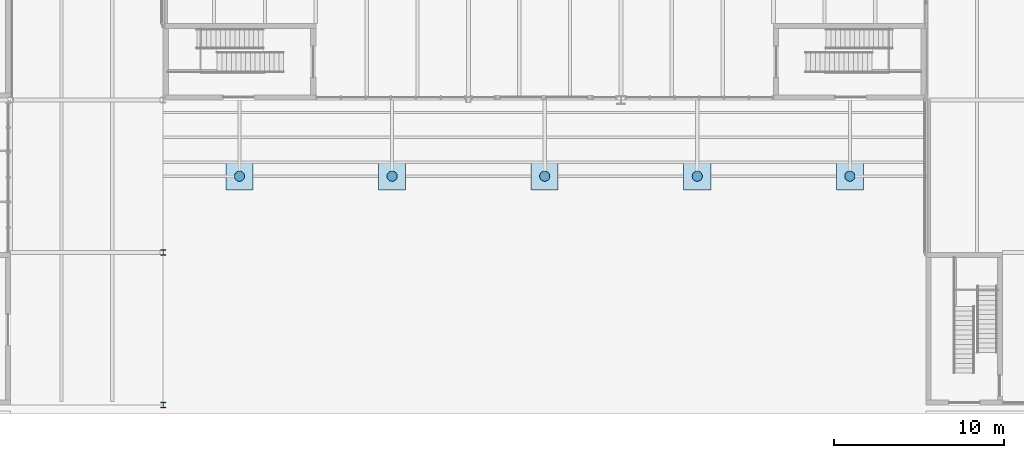
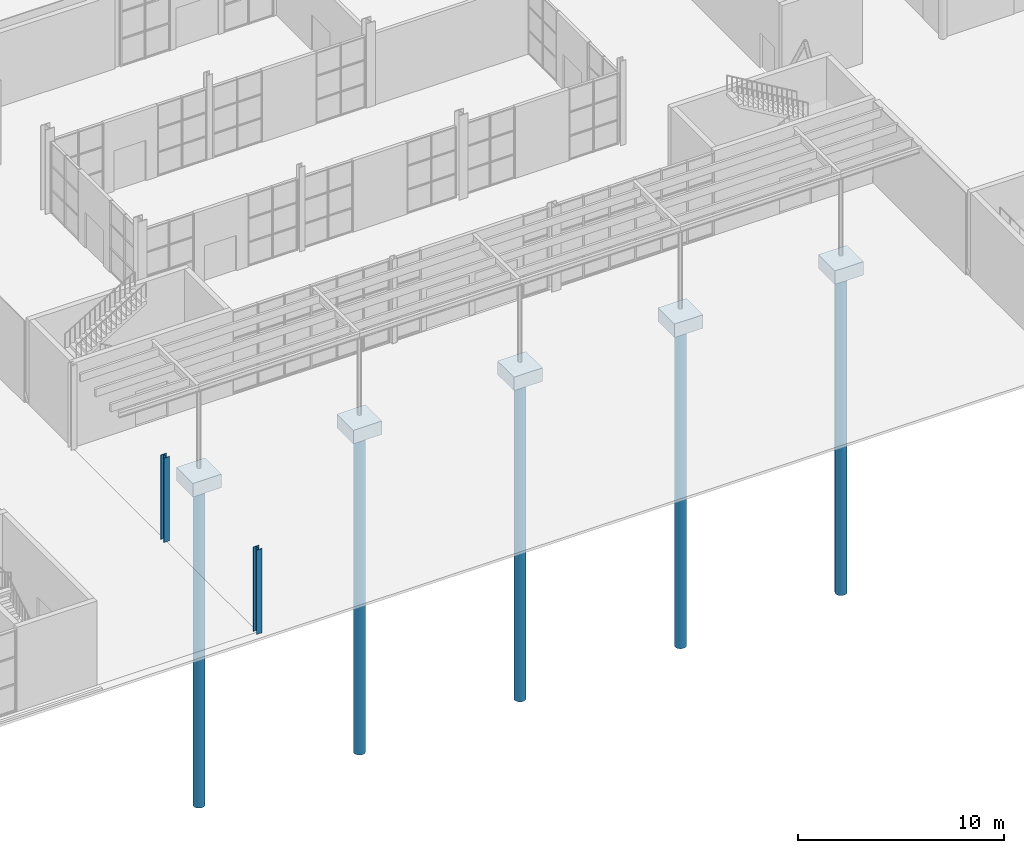
# One storey, part 1 of 63: 5 footings, 5 piles, 2 columns.
"""IFC4 building model written with IfcOpenShell, lengths in metres."""

import ifcopenshell
import ifcopenshell.guid

model = None  # the IFC model being written
_history = None  # IfcOwnerHistory: only IFC2X3 demands one
_inside = {}  # id of a spatial element -> (the spatial element, [elements in it])
_under = {}  # id of a project, library or spatial element -> (it, [spatial elements below it])
_declared = {}  # id of a project -> (the project, [libraries it declares])
_typed = {}  # id of a type object -> (the type object, [elements of that type])
_made_of = {}  # id of a material, layer set ... -> (it, [elements and type objects made of it])


def new_model(schema):
    """Start an empty IFC model of exactly this schema.

    Asked for "IFC4X3", IfcOpenShell would pick the latest addendum, in which some entities
    have other attributes; the version numbers below select the first issue.
    IFC2X3 requires an IfcOwnerHistory on every rooted entity: one is made here for all.
    """
    global model, _history
    if schema == "IFC4X3":
        model = ifcopenshell.file(schema_version=(4, 3, 0, 0))
    else:
        model = ifcopenshell.file(schema=schema)
    _inside.clear()
    _under.clear()
    _declared.clear()
    _typed.clear()
    _made_of.clear()
    _history = None
    if model.schema == "IFC2X3":
        org = make("IfcOrganization", Name="unknown")
        user = make(
            "IfcPersonAndOrganization",
            ThePerson=make("IfcPerson", FamilyName="unknown"),
            TheOrganization=org,
        )
        app = make(
            "IfcApplication",
            ApplicationDeveloper=org,
            Version="unknown",
            ApplicationFullName="unknown",
            ApplicationIdentifier="unknown",
        )
        _history = make(
            "IfcOwnerHistory",
            OwningUser=user,
            OwningApplication=app,
            ChangeAction="ADDED",
            CreationDate=0,
        )
    return model


def make(cls, **values):
    """One entity of the class cls with the attributes given. An attribute that is None is left unset."""
    return model.create_entity(
        cls, **{name: value for name, value in values.items() if value is not None}
    )


def rooted(cls, **values):
    """An entity with a GlobalId (a new one), such as an element, a storey or a relation."""
    return make(cls, GlobalId=ifcopenshell.guid.new(), OwnerHistory=_history, **values)


def si_unit(unit_type, name, prefix=None):
    """IfcSIUnit, for example si_unit("LENGTHUNIT", "METRE", prefix="MILLI")."""
    return make("IfcSIUnit", UnitType=unit_type, Prefix=prefix, Name=name)


def assignment(units):
    """IfcUnitAssignment: the units of a project."""
    return None if units is None else make("IfcUnitAssignment", Units=units)


def point(xyz):
    """IfcCartesianPoint."""
    return None if xyz is None else make("IfcCartesianPoint", Coordinates=xyz)


def direction(xyz):
    """IfcDirection."""
    return None if xyz is None else make("IfcDirection", DirectionRatios=xyz)


def frame(location, z_axis=None, x_axis=None):
    """IfcAxis2Placement3D, a coordinate frame: its origin and axes. An axis left out is left unset."""
    return make(
        "IfcAxis2Placement3D",
        Location=point(location),
        Axis=direction(z_axis),
        RefDirection=direction(x_axis),
    )


def frame_2d(location, x_axis=None):
    """IfcAxis2Placement2D, a coordinate frame in the plane: its origin and x axis."""
    return make(
        "IfcAxis2Placement2D", Location=point(location), RefDirection=direction(x_axis)
    )


def origin():
    """The frame at (0, 0, 0) with its axes left unset."""
    return frame((0.0, 0.0, 0.0))


def origin_2d():
    """The frame at (0, 0) in the plane with its x axis left unset."""
    return frame_2d((0.0, 0.0))


def place(relative_to, where):
    """IfcLocalPlacement: puts the frame where relative to a parent placement (None: the world)."""
    return make(
        "IfcLocalPlacement", PlacementRelTo=relative_to, RelativePlacement=where
    )


def context(
    kind, dimensions, precision=None, world=None, true_north=None, identifier=None
):
    """IfcGeometricRepresentationContext, for example the 3D "Model" context."""
    return make(
        "IfcGeometricRepresentationContext",
        ContextIdentifier=identifier,
        ContextType=kind,
        CoordinateSpaceDimension=dimensions,
        Precision=precision,
        WorldCoordinateSystem=world,
        TrueNorth=true_north,
    )


def subcontext(parent, identifier, kind, view, scale=None):
    """IfcGeometricRepresentationSubContext, for example "Body" below "Model"."""
    return make(
        "IfcGeometricRepresentationSubContext",
        ContextIdentifier=identifier,
        ContextType=kind,
        ParentContext=parent,
        TargetScale=scale,
        TargetView=view,
    )


def project(units=None, contexts=None):
    """IfcProject with its units and contexts."""
    return rooted(
        "IfcProject",
        Name="project",
        RepresentationContexts=contexts,
        UnitsInContext=assignment(units),
    )


def spatial(cls, under=None, at=None, **own):
    """A site, building, storey or space (cls), placed at a placement, below another one or the project."""
    s = rooted(cls, ObjectPlacement=at, **own)
    if under is not None:
        _under.setdefault(under.id(), (under, []))[1].append(s)
    return s


def polyline(points):
    """IfcPolyline through the points."""
    return make("IfcPolyline", Points=[point(p) for p in points])


def profile(cls, at=None, kind="AREA", **sizes):
    """A parametric profile (cls). Its sizes go by their IFC names, for example OverallWidth=200.0."""
    return make(cls, ProfileType=kind, Position=at, **sizes)


def circle(**sizes):
    """IfcCircleProfileDef."""
    return profile("IfcCircleProfileDef", **sizes)


def i_section(**sizes):
    """IfcIShapeProfileDef."""
    return profile("IfcIShapeProfileDef", **sizes)


def outline(outer, holes=None, kind="AREA"):
    """IfcArbitraryClosedProfileDef: a profile drawn as a closed curve; with holes, ...WithVoids."""
    if holes is None:
        return make("IfcArbitraryClosedProfileDef", ProfileType=kind, OuterCurve=outer)
    return make(
        "IfcArbitraryProfileDefWithVoids",
        ProfileType=kind,
        OuterCurve=outer,
        InnerCurves=holes,
    )


def extrude(swept, where, along, depth):
    """IfcExtrudedAreaSolid: the profile swept, set in the frame where, extruded along a direction by depth."""
    return make(
        "IfcExtrudedAreaSolid",
        SweptArea=swept,
        Position=where,
        ExtrudedDirection=direction(along),
        Depth=depth,
    )


def shape(context_of_items, identifier, shape_type, items):
    """IfcShapeRepresentation: the items that make up one representation, for example the "Body"."""
    return make(
        "IfcShapeRepresentation",
        ContextOfItems=context_of_items,
        RepresentationIdentifier=identifier,
        RepresentationType=shape_type,
        Items=items,
    )


def material(Name=None, Category=None):
    """IfcMaterial."""
    return make("IfcMaterial", Name=Name, Category=Category)


def material_profile(
    of_material, cross_section, Name=None, Category=None, Priority=None
):
    """IfcMaterialProfile: a cross section and its material."""
    return make(
        "IfcMaterialProfile",
        Name=Name,
        Material=of_material,
        Profile=cross_section,
        Priority=Priority,
        Category=Category,
    )


def profile_set(profiles, Name=None, composite=None):
    """IfcMaterialProfileSet."""
    return make(
        "IfcMaterialProfileSet",
        Name=Name,
        MaterialProfiles=profiles,
        CompositeProfile=composite,
    )


def made_of(thing, what):
    """Note that an element or type object is made of a material, layer set ...; save() writes the relation."""
    if what is not None:
        _made_of.setdefault(what.id(), (what, []))[1].append(thing)
    return thing


def type_object(cls, material=None, **own):
    """A type object (cls), such as IfcWallType, which elements share."""
    return made_of(rooted(cls, **own), material)


def element(
    cls,
    number,
    at=None,
    inside=None,
    cuts=None,
    type_object=None,
    material=None,
    context=None,
    identifier="Body",
    shape_type=None,
    held_by="IfcProductDefinitionShape",
    body=None,
    shapes=None,
    **own,
):
    """One element of the class cls, such as IfcWall. Its Tag is "e" and its number.

    at: its placement. inside: the storey or other place that contains it. cuts: it is an
    opening in that element (IfcRelVoidsElement). A single representation is given by context,
    identifier, shape_type and body (its items); several are given by shapes. held_by: the class
    of the entity that holds the representations. save() writes the other relations.
    """
    e = rooted(cls, Tag="e%d" % number, ObjectPlacement=at, **own)
    if body is not None:
        shapes = [shape(context, identifier, shape_type, body)]
    if shapes is not None:
        e.Representation = make(held_by, Representations=shapes)
    if inside is not None:
        _inside.setdefault(inside.id(), (inside, []))[1].append(e)
    if cuts is not None:
        rooted(
            "IfcRelVoidsElement", RelatingBuildingElement=cuts, RelatedOpeningElement=e
        )
    if type_object is not None:
        _typed.setdefault(type_object.id(), (type_object, []))[1].append(e)
    return made_of(e, material)


def aggregate(whole, parts):
    """IfcRelAggregates: a whole, such as a stair, and the parts it consists of."""
    return rooted("IfcRelAggregates", RelatingObject=whole, RelatedObjects=parts)


def save(model, path):
    """Write the relations noted so far, then the file.

    IfcRelAggregates (storeys below a building ...), IfcRelContainedInSpatialStructure (elements
    in a storey), IfcRelDefinesByType, IfcRelAssociatesMaterial and IfcRelDeclares: one each for
    every whole, place, type object, material and project.
    """
    for whole, parts in _under.values():
        aggregate(whole, parts)
    for where, things in _inside.values():
        rooted(
            "IfcRelContainedInSpatialStructure",
            RelatedElements=things,
            RelatingStructure=where,
        )
    for kind, things in _typed.values():
        rooted("IfcRelDefinesByType", RelatedObjects=things, RelatingType=kind)
    for what, things in _made_of.values():
        rooted("IfcRelAssociatesMaterial", RelatedObjects=things, RelatingMaterial=what)
    for by, libraries in _declared.values():
        rooted("IfcRelDeclares", RelatingContext=by, RelatedDefinitions=libraries)
    model.write(path)


model = new_model("IFC4")

# Units and contexts
model_context = context("Model", 3, precision=1e-05, world=origin(), true_north=direction((0.0, 1.0)))
body_context = subcontext(model_context, "Body", "Model", "MODEL_VIEW")
ifc_project = project(units=[si_unit("LENGTHUNIT", "METRE"), si_unit("AREAUNIT", "SQUARE_METRE"), si_unit("VOLUMEUNIT", "CUBIC_METRE"), si_unit("PLANEANGLEUNIT", "RADIAN"), si_unit("MASSUNIT", "GRAM", prefix="KILO")], contexts=[model_context])

# Site, building, storey
site_placement = place(None, origin())
site = spatial("IfcSite", under=ifc_project, at=site_placement, CompositionType="ELEMENT")
building_placement = place(site_placement, origin())
building = spatial("IfcBuilding", under=site, at=building_placement, Name="Halyard Row Museum", CompositionType="ELEMENT")
storey_placement = place(building_placement, origin())
storey = spatial("IfcBuildingStorey", under=building, at=storey_placement, Name="L00", CompositionType="ELEMENT", Elevation=0.0)

# Piles
ifc_material_1 = material(Name="Concrete 40 MPa", Category="concrete")
ifc_material_profile_1 = material_profile(ifc_material_1, circle(Radius=0.300048828125, at=origin_2d()), Name="Bored pile 600 x 19.0")
ifc_profile_set_1 = profile_set([ifc_material_profile_1], Name="Concrete 40 MPa")
pile_type = type_object("IfcPileType", Name="Bored pile 600 x 19.0", PredefinedType="BORED", material=ifc_profile_set_1)
for number, where, z_axis, x_axis, name in (
    (1, (31.5, 13.5, -1.0), (0.0, 0.0, -1.0), (1.0, 0.0, 0.0), "pile:L00:pad01:1"),
    (2, (40.5, 13.5, -1.0), (0.0, 0.0, -1.0), (1.0, 0.0, 0.0), "pile:L00:pad02:1"),
    (3, (49.5, 13.5, -1.0), (0.0, 0.0, -1.0), (1.0, 0.0, 0.0), "pile:L00:pad03:1"),
    (4, (58.5, 13.5, -1.0), (0.0, 0.0, -1.0), (1.0, 0.0, 0.0), "pile:L00:pad04:1"),
    (5, (67.5, 13.5, -1.0), (0.0, 0.0, -1.0), (1.0, 0.0, 0.0), "pile:L00:pad05:1"),
):
    element("IfcPile", number, at=place(storey_placement, frame(where, z_axis=z_axis, x_axis=x_axis)), inside=storey, type_object=pile_type, Name=name, PredefinedType="BORED", context=body_context, shape_type="SweptSolid", body=[
        extrude(circle(Radius=0.300048828125, at=origin_2d()), origin(), (0.0, 0.0, 1.0), 19.0),
    ])

# Footings
ifc_material_2 = material(Name="Concrete 40 MPa", Category="concrete")
footing_type = type_object("IfcFootingType", Name="Pad footing", PredefinedType="PAD_FOOTING", material=ifc_material_2)
footing_1_placement = place(storey_placement, frame((0.0, 0.0, -1.0)))
element("IfcFooting", 6, at=footing_1_placement, inside=storey, type_object=footing_type, Name="Canopy pad footing 01", PredefinedType="PAD_FOOTING", context=body_context, shape_type="SweptSolid", body=[
    extrude(outline(polyline([(30.699951171875, 12.699951171875), (32.300048828125, 12.699951171875), (32.300048828125, 14.300048828125), (30.699951171875, 14.300048828125), (30.699951171875, 12.699951171875)])), origin(), (0.0, 0.0, 1.0), 0.800048828125),
])
footing_2_placement = place(storey_placement, frame((0.0, 0.0, -1.0)))
element("IfcFooting", 7, at=footing_2_placement, inside=storey, type_object=footing_type, Name="Canopy pad footing 02", PredefinedType="PAD_FOOTING", context=body_context, shape_type="SweptSolid", body=[
    extrude(outline(polyline([(39.699951171875, 12.699951171875), (41.300048828125, 12.699951171875), (41.300048828125, 14.300048828125), (39.699951171875, 14.300048828125), (39.699951171875, 12.699951171875)])), origin(), (0.0, 0.0, 1.0), 0.800048828125),
])
footing_3_placement = place(storey_placement, frame((0.0, 0.0, -1.0)))
element("IfcFooting", 8, at=footing_3_placement, inside=storey, type_object=footing_type, Name="Canopy pad footing 03", PredefinedType="PAD_FOOTING", context=body_context, shape_type="SweptSolid", body=[
    extrude(outline(polyline([(48.699951171875, 12.699951171875), (50.300048828125, 12.699951171875), (50.300048828125, 14.300048828125), (48.699951171875, 14.300048828125), (48.699951171875, 12.699951171875)])), origin(), (0.0, 0.0, 1.0), 0.800048828125),
])
footing_4_placement = place(storey_placement, frame((0.0, 0.0, -1.0)))
element("IfcFooting", 9, at=footing_4_placement, inside=storey, type_object=footing_type, Name="Canopy pad footing 04", PredefinedType="PAD_FOOTING", context=body_context, shape_type="SweptSolid", body=[
    extrude(outline(polyline([(57.699951171875, 12.699951171875), (59.300048828125, 12.699951171875), (59.300048828125, 14.300048828125), (57.699951171875, 14.300048828125), (57.699951171875, 12.699951171875)])), origin(), (0.0, 0.0, 1.0), 0.800048828125),
])
footing_5_placement = place(storey_placement, frame((0.0, 0.0, -1.0)))
element("IfcFooting", 10, at=footing_5_placement, inside=storey, type_object=footing_type, Name="Canopy pad footing 05", PredefinedType="PAD_FOOTING", context=body_context, shape_type="SweptSolid", body=[
    extrude(outline(polyline([(66.699951171875, 12.699951171875), (68.300048828125, 12.699951171875), (68.300048828125, 14.300048828125), (66.699951171875, 14.300048828125), (66.699951171875, 12.699951171875)])), origin(), (0.0, 0.0, 1.0), 0.800048828125),
])

# Columns
ifc_material_3 = material(Name="Steel Grade 300", Category="steel")
ifc_material_profile_2 = material_profile(ifc_material_3, i_section(OverallWidth=0.31103515625, OverallDepth=0.3271484375, WebThickness=0.015625, FlangeThickness=0.02490234375, FilletRadius=0.0166015625, at=origin_2d()), Name="310UC158")
ifc_profile_set_2 = profile_set([ifc_material_profile_2], Name="Steel Grade 300")
column_type = type_object("IfcColumnType", Name="Passage column 310UC158", PredefinedType="COLUMN", material=ifc_profile_set_2)
for number, where, z_axis, x_axis, name in (
    (11, (27.0, 0.0, 0.0), (0.0, 0.0, 1.0), (1.0, 0.0, 0.0), "Passage column L00 y 0"),
    (12, (27.0, 9.0, 0.0), (0.0, 0.0, 1.0), (1.0, 0.0, 0.0), "Passage column L00 y 9"),
):
    element("IfcColumn", number, at=place(storey_placement, frame(where, z_axis=z_axis, x_axis=x_axis)), inside=storey, type_object=column_type, Name=name, PredefinedType="COLUMN", context=body_context, shape_type="SweptSolid", body=[
        extrude(i_section(OverallWidth=0.31103515625, OverallDepth=0.3271484375, WebThickness=0.015625, FlangeThickness=0.02490234375, FilletRadius=0.0166015625, at=origin_2d()), origin(), (0.0, 0.0, 1.0), 5.0),
    ])

save(model, "model.ifc")
